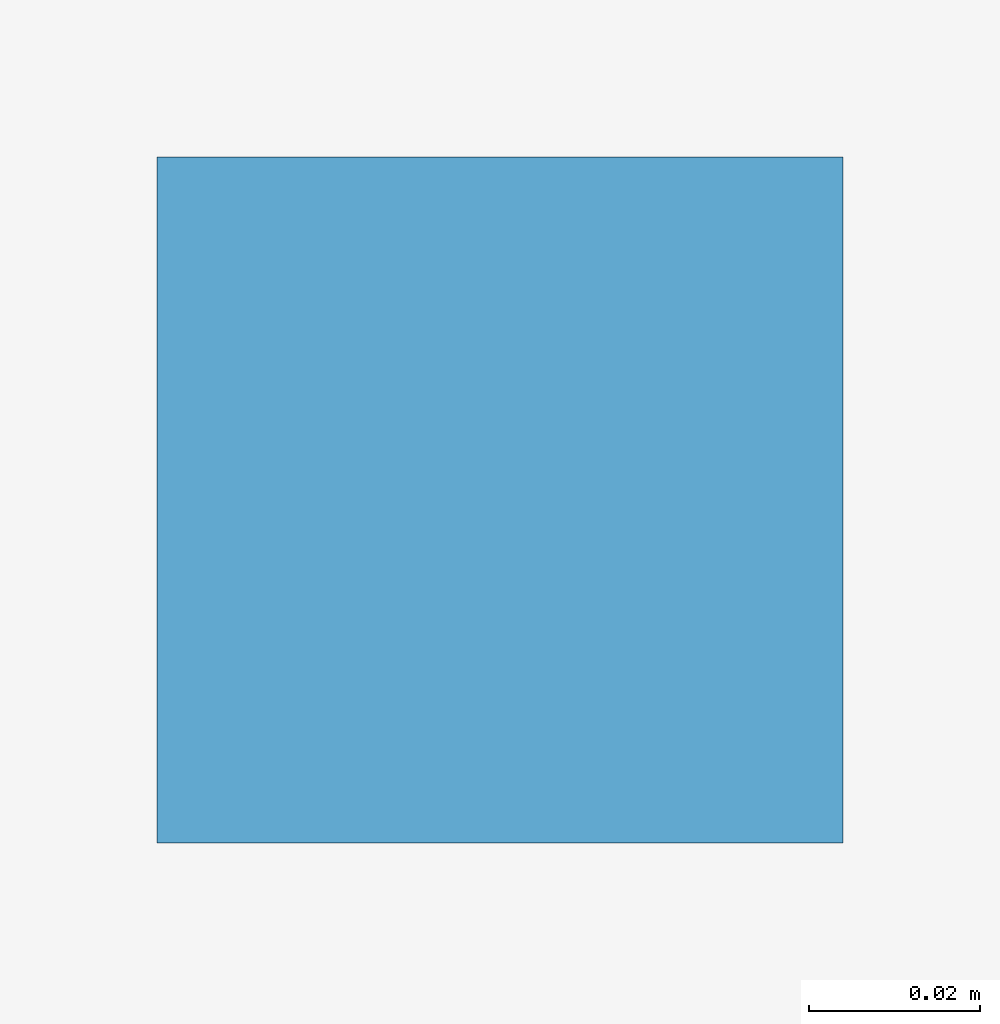
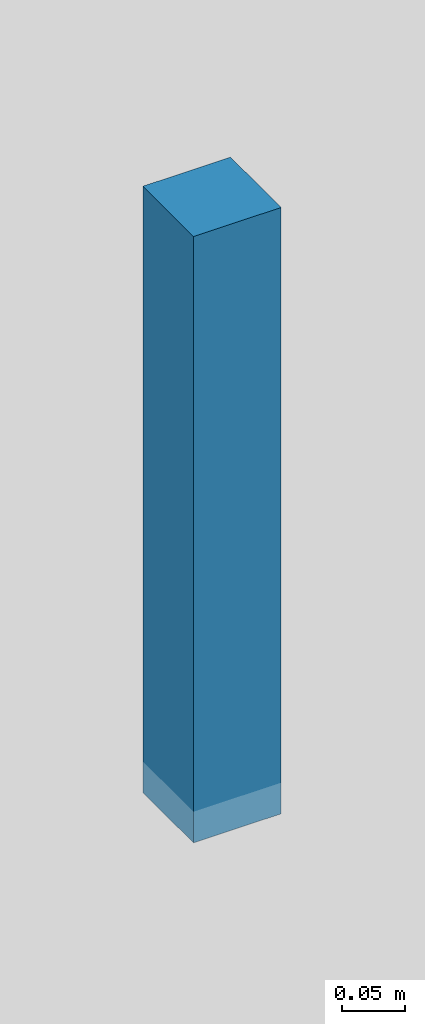
# One storey, part 10 of 14: 1 discrete accessory.
"""IFC4 building model written with IfcOpenShell, lengths in metres."""

from ifc_helpers import new_model, si_unit, direction, frame, origin, origin_2d, place, context, subcontext, project, spatial, rectangle, extrude, source, transform, mapped, material, type_object, element, save


model = new_model("IFC4")

# Units and contexts
model_context = context("Model", 3, precision=1e-05, world=origin(), true_north=direction((0.0, 1.0)))
body_context = subcontext(model_context, "Body", "Model", "MODEL_VIEW")
ifc_project = project(units=[si_unit("LENGTHUNIT", "METRE"), si_unit("AREAUNIT", "SQUARE_METRE"), si_unit("VOLUMEUNIT", "CUBIC_METRE"), si_unit("PLANEANGLEUNIT", "RADIAN"), si_unit("MASSUNIT", "GRAM", prefix="KILO")], contexts=[model_context])

# Site, building, storey
site_placement = place(None, origin())
site = spatial("IfcSite", under=ifc_project, at=site_placement, CompositionType="ELEMENT")
building_placement = place(site_placement, origin())
building = spatial("IfcBuilding", under=site, at=building_placement, Name="Giltprow Tower", CompositionType="ELEMENT")
storey_placement = place(building_placement, frame((0.0, 0.0, 314.199951171875)))
storey = spatial("IfcBuildingStorey", under=building, at=storey_placement, Name="L81", CompositionType="ELEMENT", Elevation=314.199951171875)

# Discrete accessory
ifc_material = material(Name="Structural steel Q355B", Category="steel")
discrete_accessory_type = type_object("IfcDiscreteAccessoryType", Name="ACC-CLG-HANGER", PredefinedType="BRACKET", material=ifc_material)
shared_shape = source(origin(), body_context, "Body", "SweptSolid", [
    extrude(rectangle(XDim=0.080078125, YDim=0.080078125, at=origin_2d()), origin(), (0.0, 0.0, 1.0), 0.5849609375),
])
discrete_accessory_placement = place(storey_placement, frame((35.0, 35.625, 2.61962890625), z_axis=(0.0, 0.0, 1.0), x_axis=(1.0, 0.0, 0.0)))
element("IfcDiscreteAccessory", 1, at=discrete_accessory_placement, inside=storey, type_object=discrete_accessory_type, Name="L81 Residence Gallery Ceiling Suspension Hanger", PredefinedType="BRACKET", context=body_context, shape_type="MappedRepresentation", body=[
    mapped(shared_shape, transform((0.0, 0.0, 0.0), x_axis=(1.0, 0.0, 0.0), y_axis=(0.0, 1.0, 0.0), z_axis=(0.0, 0.0, 1.0), scale=1.0)),
])

save(model, "model.ifc")
